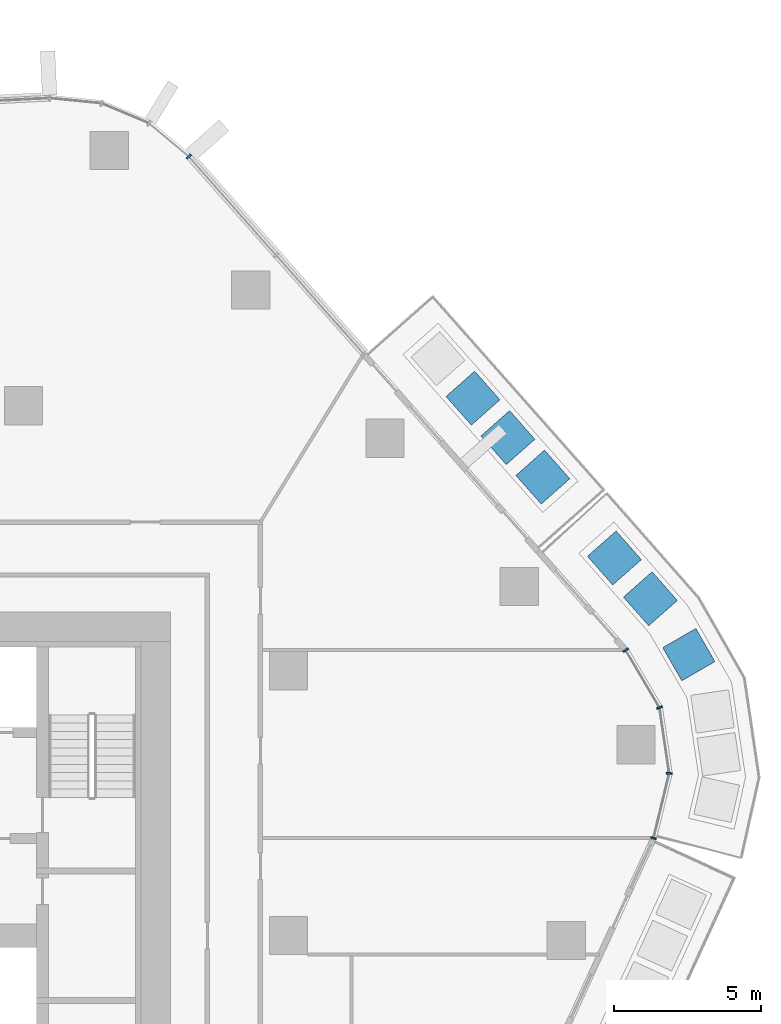
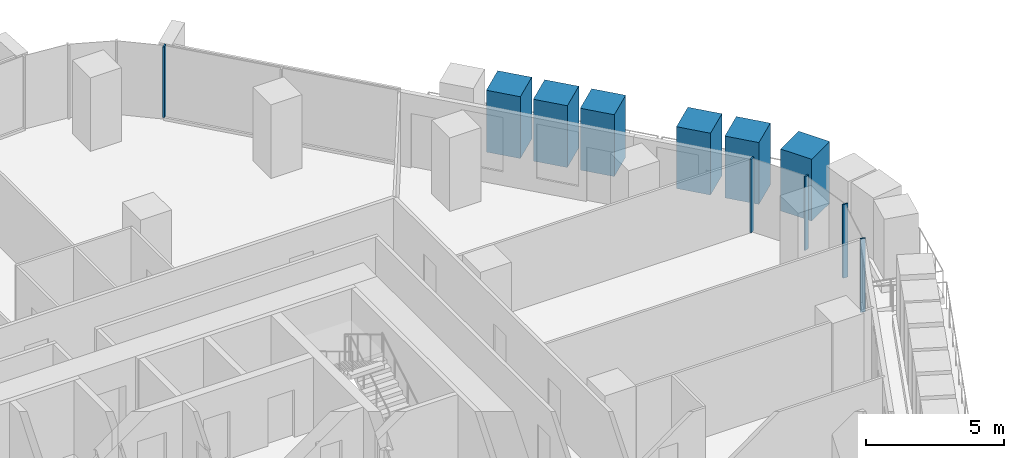
# One storey, part 7 of 24: 11 members, 2 elements without a shape of their own.
"""IFC4 building model written with IfcOpenShell, lengths in metres."""

from ifc_helpers import new_model, si_unit, direction, frame, origin, origin_2d, place, context, subcontext, project, spatial, rectangle, extrude, material, layer, layer_set, material_profile, profile_set, type_object, element, aggregate, save


model = new_model("IFC4")

# Units and contexts
model_context = context("Model", 3, precision=1e-05, world=origin(), true_north=direction((0.0, 1.0)))
body_context = subcontext(model_context, "Body", "Model", "MODEL_VIEW")
ifc_project = project(units=[si_unit("LENGTHUNIT", "METRE"), si_unit("AREAUNIT", "SQUARE_METRE"), si_unit("VOLUMEUNIT", "CUBIC_METRE"), si_unit("PLANEANGLEUNIT", "RADIAN"), si_unit("MASSUNIT", "GRAM", prefix="KILO")], contexts=[model_context])

# Site, building, storey
site_placement = place(None, origin())
site = spatial("IfcSite", under=ifc_project, at=site_placement, CompositionType="ELEMENT")
building_placement = place(site_placement, origin())
building = spatial("IfcBuilding", under=site, at=building_placement, Name="Dongbaek Canopy Tower", CompositionType="ELEMENT")
storey_placement = place(building_placement, frame((0.0, 0.0, 98.89990234375)))
storey = spatial("IfcBuildingStorey", under=building, at=storey_placement, Name="L20", CompositionType="ELEMENT", Elevation=98.89990234375)

# Curtain wall, members
ifc_material_1 = material(Name="Aluminium 6063-T6 pale anodised", Category="aluminium")
ifc_layer = layer(ifc_material_1, 0.199951171875)
ifc_layer_set = layer_set([ifc_layer], Name="CW-1 unitised tower curtain wall")
curtain_wall_type = type_object("IfcCurtainWallType", Name="CW-1 unitised tower curtain wall", PredefinedType="NOTDEFINED", material=ifc_layer_set)
curtain_wall_1_placement = place(storey_placement, origin())
curtain_wall_1 = element("IfcCurtainWall", 1, at=curtain_wall_1_placement, inside=storey, type_object=curtain_wall_type, Name="CW-1 curtain wall K0.1", PredefinedType="NOTDEFINED")
ifc_material_2 = material(Name="Aluminium 6063-T6 pale anodised", Category="aluminium")
ifc_material_profile_1 = material_profile(ifc_material_2, rectangle(XDim=0.199951171875, YDim=0.06005859375, at=origin_2d()), Name="CW-1 mullion 60 x 200")
ifc_profile_set_1 = profile_set([ifc_material_profile_1], Name="Aluminium 6063-T6 pale anodised")
member_type_1 = type_object("IfcMemberType", Name="CW-1 mullion 60 x 200", PredefinedType="MULLION", material=ifc_profile_set_1)
member_1_placement = place(storey_placement, frame((30.406494140625, 3.31005859375, 0.0), z_axis=(0.0, 0.0, 1.0), x_axis=(0.971859362061, -0.235561839809, 0.0)))
member_1 = element("IfcMember", 2, at=member_1_placement, type_object=member_type_1, Name="CW-1 mullion K0.1.1", PredefinedType="MULLION", context=body_context, shape_type="SweptSolid", body=[
    extrude(rectangle(XDim=0.199951171875, YDim=0.06005859375, at=origin_2d()), origin(), (0.0, 0.0, 1.0), 3.25),
])
member_2_placement = place(storey_placement, frame((30.9404296875, 5.5126953125, 0.0), z_axis=(0.0, 0.0, 1.0), x_axis=(0.998973563193, -0.045297020221, 0.0)))
member_2 = element("IfcMember", 3, at=member_2_placement, type_object=member_type_1, Name="CW-1 mullion K0.1.2", PredefinedType="MULLION", context=body_context, shape_type="SweptSolid", body=[
    extrude(rectangle(XDim=0.199951171875, YDim=0.06005859375, at=origin_2d()), origin(), (0.0, 0.0, 1.0), 3.25),
])
member_3_placement = place(storey_placement, frame((30.609619140625, 7.744873046875, 0.0), z_axis=(0.0, 0.0, 1.0), x_axis=(0.94286943017, 0.333162479357, 0.0)))
member_3 = element("IfcMember", 4, at=member_3_placement, type_object=member_type_1, Name="CW-1 mullion K0.1.3", PredefinedType="MULLION", context=body_context, shape_type="SweptSolid", body=[
    extrude(rectangle(XDim=0.199951171875, YDim=0.06005859375, at=origin_2d()), origin(), (0.0, 0.0, 1.0), 3.25),
])
member_4_placement = place(storey_placement, frame((29.459716796875, 9.69775390625, 0.0), z_axis=(0.0, 0.0, 1.0), x_axis=(0.861723351631, 0.507378424112, 0.0)))
member_4 = element("IfcMember", 5, at=member_4_placement, type_object=member_type_1, Name="CW-1 mullion K0.1.4", PredefinedType="MULLION", context=body_context, shape_type="SweptSolid", body=[
    extrude(rectangle(XDim=0.199951171875, YDim=0.06005859375, at=origin_2d()), origin(), (0.0, 0.0, 1.0), 3.25),
])
aggregate(curtain_wall_1, [member_1, member_2, member_3, member_4])

# Curtain wall, member
curtain_wall_2_placement = place(storey_placement, origin())
curtain_wall_2 = element("IfcCurtainWall", 6, at=curtain_wall_2_placement, inside=storey, type_object=curtain_wall_type, Name="CW-1 curtain wall F0.1", PredefinedType="NOTDEFINED")
member_5_placement = place(storey_placement, frame((14.616455078125, 26.46435546875, 0.1201171875), z_axis=(0.0, 0.0, 1.0), x_axis=(0.748748761505, 0.662853899547, 0.0)))
member_5 = element("IfcMember", 7, at=member_5_placement, type_object=member_type_1, Name="CW-1 mullion F0.1.3", PredefinedType="MULLION", context=body_context, shape_type="SweptSolid", body=[
    extrude(rectangle(XDim=0.199951171875, YDim=0.06005859375, at=origin_2d()), origin(), (0.0, 0.0, 1.0), 3.1298828125),
])
aggregate(curtain_wall_2, [member_5])

# Members
ifc_material_3 = material(Name="Concrete C40/50 planter mass with planting", Category="concrete")
ifc_material_profile_2 = material_profile(ifc_material_3, rectangle(XDim=1.300048828125, YDim=1.300048828125, at=origin_2d()), Name="Terrace PLANTER shrub mass 1300 x 1300")
ifc_profile_set_2 = profile_set([ifc_material_profile_2], Name="Concrete C40/50 planter mass with planting")
member_type_2 = type_object("IfcMemberType", Name="Terrace PLANTER shrub mass 1300 x 1300", PredefinedType="USERDEFINED", material=ifc_profile_set_2)
for number, where, z_axis, x_axis, name in (
    (8, (26.645263671875, 15.577392578125, 0.420166015625), (0.0, 0.0, 1.0), (0.748748761505, 0.662853899547, 0.0), "Planter shrubs L20 1.1"),
    (9, (25.4580078125, 16.91845703125, 0.420166015625), (0.0, 0.0, 1.0), (0.748748761505, 0.662853899547, 0.0), "Planter shrubs L20 1.2"),
    (10, (24.27099609375, 18.259521484375, 0.420166015625), (0.0, 0.0, 1.0), (0.748748761505, 0.662853899547, 0.0), "Planter shrubs L20 1.3"),
    (11, (31.603515625, 9.546142578125, 0.420166015625), (0.0, 0.0, 1.0), (0.865959707109, 0.500113772719, 0.0), "Planter shrubs L20 6.4"),
    (12, (30.29736328125, 11.443115234375, 0.420166015625), (0.0, 0.0, 1.0), (0.750150302147, 0.661267362107, 0.0), "Planter shrubs L20 6.5"),
    (13, (29.075927734375, 12.828857421875, 0.420166015625), (0.0, 0.0, 1.0), (0.750150302147, 0.661267362107, 0.0), "Planter shrubs L20 6.6"),
):
    element("IfcMember", number, at=place(storey_placement, frame(where, z_axis=z_axis, x_axis=x_axis)), inside=storey, type_object=member_type_2, Name=name, ObjectType="PLANTER", PredefinedType="USERDEFINED", context=body_context, shape_type="SweptSolid", body=[
        extrude(rectangle(XDim=1.300048828125, YDim=1.300048828125, at=origin_2d()), origin(), (0.0, 0.0, 1.0), 2.72998046875),
    ])

save(model, "model.ifc")
